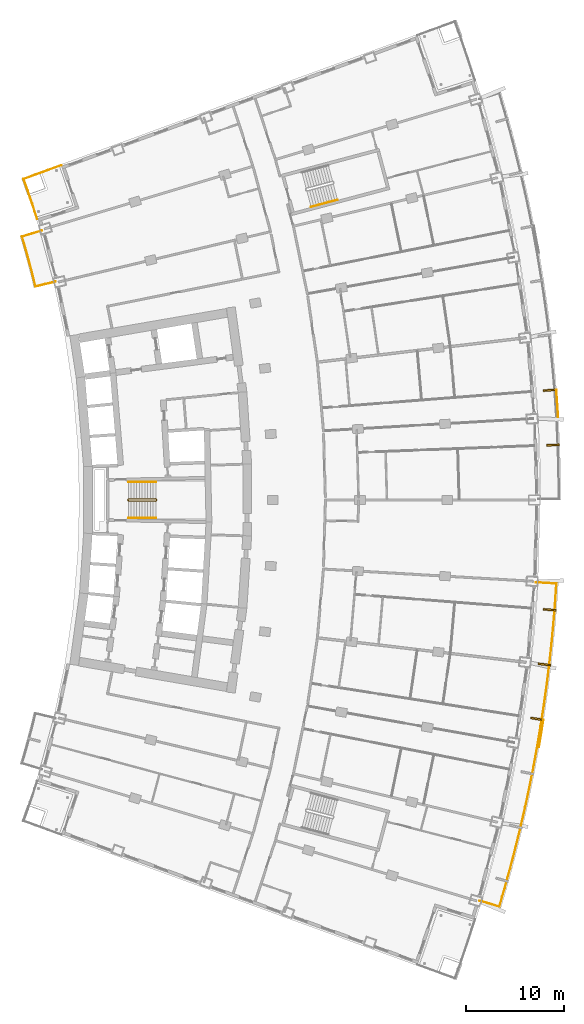
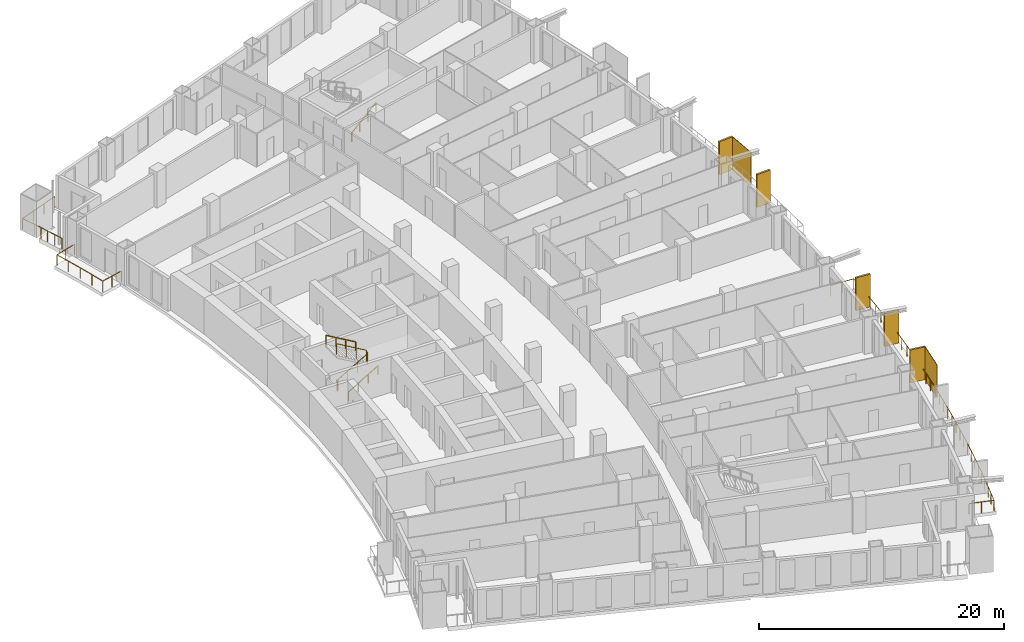
# One storey, part 24 of 25: 7 railings, 7 shading devices.
"""IFC4 building model written with IfcOpenShell, lengths in metres."""

from ifc_helpers import new_model, si_unit, direction, frame, origin, origin_with_axes, origin_2d, place, context, subcontext, project, spatial, rectangle, extrude, material, layer, layer_set, type_object, element, save


model = new_model("IFC4")

# Units and contexts
model_context = context("Model", 3, precision=1e-05, world=origin(), true_north=direction((0.0, 1.0)))
body_context = subcontext(model_context, "Body", "Model", "MODEL_VIEW")
ifc_project = project(units=[si_unit("LENGTHUNIT", "METRE"), si_unit("AREAUNIT", "SQUARE_METRE"), si_unit("VOLUMEUNIT", "CUBIC_METRE"), si_unit("PLANEANGLEUNIT", "RADIAN"), si_unit("MASSUNIT", "GRAM", prefix="KILO")], contexts=[model_context])

# Site, building, storey
site_placement = place(None, origin())
site = spatial("IfcSite", under=ifc_project, at=site_placement, CompositionType="ELEMENT")
building_placement = place(site_placement, origin())
building = spatial("IfcBuilding", under=site, at=building_placement, Name="Alderwake Tower", CompositionType="ELEMENT")
storey_placement = place(building_placement, frame((0.0, 0.0, 57.199951171875)))
storey = spatial("IfcBuildingStorey", under=building, at=storey_placement, Name="L13", CompositionType="ELEMENT", Elevation=57.199951171875)

# Railings
ifc_material_1 = material(Name="Stainless steel 316 rail and posts", Category="steel")
railing_type_1 = type_object("IfcRailingType", Name="Balcony guard 1100", PredefinedType="GUARDRAIL", material=ifc_material_1)
railing_1_placement = place(storey_placement, frame((56.98876953125, 19.974853515625, 0.0)))
element("IfcRailing", 1, at=railing_1_placement, inside=storey, type_object=railing_type_1, Name="Guard BF02", PredefinedType="GUARDRAIL", context=body_context, shape_type="SweptSolid", body=[
    extrude(rectangle(XDim=0.048095703125, YDim=0.048095703125, at=origin_2d()), frame((0.0, 0.0, 1.076171875), z_axis=(0.957954179098, -0.286921227429, 0.0), x_axis=(0.286921227429, 0.957954179098, 0.0)), (0.0, 0.0, 1.0), 2.10009765625),
    extrude(rectangle(XDim=0.048095703125, YDim=0.048095703125, at=origin_2d()), frame((2.01171875, -0.6025390625, 1.076171875), z_axis=(0.28021854868, 0.95993622964, 0.0), x_axis=(-0.95993622964, 0.28021854868, 0.0)), (0.0, 0.0, 1.0), 2.01611328125),
    extrude(rectangle(XDim=0.048095703125, YDim=0.048095703125, at=origin_2d()), frame((2.57666015625, 1.332763671875, 1.076171875), z_axis=(0.266513084078, 0.9638313006, 0.0), x_axis=(-0.9638313006, 0.266513084078, 0.0)), (0.0, 0.0, 1.0), 2.115966796875),
    extrude(rectangle(XDim=0.048095703125, YDim=0.048095703125, at=origin_2d()), frame((3.140625, 3.372314453125, 1.076171875), z_axis=(0.25253930462, 0.967586636752, 0.0), x_axis=(-0.967586636752, 0.25253930462, 0.0)), (0.0, 0.0, 1.0), 2.1162109375),
    extrude(rectangle(XDim=0.048095703125, YDim=0.048095703125, at=origin_2d()), frame((3.675048828125, 5.419921875, 1.076171875), z_axis=(0.238270812315, 0.971198754117, 0.0), x_axis=(-0.971198754117, 0.238270812315, 0.0)), (0.0, 0.0, 1.0), 2.115966796875),
    extrude(rectangle(XDim=0.048095703125, YDim=0.048095703125, at=origin_2d()), frame((4.17919921875, 7.474853515625, 1.076171875), z_axis=(0.224058933292, 0.974575597074, 0.0), x_axis=(-0.974575597074, 0.224058933292, 0.0)), (0.0, 0.0, 1.0), 2.115966796875),
    extrude(rectangle(XDim=0.048095703125, YDim=0.048095703125, at=origin_2d()), frame((4.6533203125, 9.537109375, 1.076171875), z_axis=(0.209875777658, 0.977728059305, 0.0), x_axis=(-0.977728059305, 0.209875777658, 0.0)), (0.0, 0.0, 1.0), 2.115966796875),
    extrude(rectangle(XDim=0.048095703125, YDim=0.048095703125, at=origin_2d()), frame((5.097412109375, 11.60595703125, 1.076171875), z_axis=(0.195672373282, 0.980669323643, 0.0), x_axis=(-0.980669323643, 0.195672373282, 0.0)), (0.0, 0.0, 1.0), 2.1162109375),
    extrude(rectangle(XDim=0.048095703125, YDim=0.048095703125, at=origin_2d()), frame((5.511474609375, 13.68115234375, 1.076171875), z_axis=(0.181271090416, 0.983433165893, 0.0), x_axis=(-0.983433165893, 0.181271090416, 0.0)), (0.0, 0.0, 1.0), 2.115966796875),
    extrude(rectangle(XDim=0.048095703125, YDim=0.048095703125, at=origin_2d()), frame((5.89501953125, 15.761962890625, 1.076171875), z_axis=(0.166942854132, 0.985966573193, 0.0), x_axis=(-0.985966573193, 0.166942854132, 0.0)), (0.0, 0.0, 1.0), 2.1162109375),
    extrude(rectangle(XDim=0.048095703125, YDim=0.048095703125, at=origin_2d()), frame((6.248291015625, 17.848388671875, 1.076171875), z_axis=(0.152525334997, 0.988299560955, 0.0), x_axis=(-0.988299560955, 0.152525334997, 0.0)), (0.0, 0.0, 1.0), 2.115966796875),
    extrude(rectangle(XDim=0.048095703125, YDim=0.048095703125, at=origin_2d()), frame((6.571044921875, 19.939697265625, 1.076171875), z_axis=(0.13810917546, 0.990417010988, 0.0), x_axis=(-0.990417010988, 0.13810917546, 0.0)), (0.0, 0.0, 1.0), 2.115966796875),
    extrude(rectangle(XDim=0.048095703125, YDim=0.048095703125, at=origin_2d()), frame((6.86328125, 22.035400390625, 1.076171875), z_axis=(0.123566122663, 0.992336340829, 0.0), x_axis=(-0.992336340829, 0.123566122663, 0.0)), (0.0, 0.0, 1.0), 2.115966796875),
    extrude(rectangle(XDim=0.048095703125, YDim=0.048095703125, at=origin_2d()), frame((7.124755859375, 24.13525390625, 1.076171875), z_axis=(0.109152371234, 0.994025029792, 0.0), x_axis=(-0.994025029792, 0.109152371234, 0.0)), (0.0, 0.0, 1.0), 2.115966796875),
    extrude(rectangle(XDim=0.048095703125, YDim=0.048095703125, at=origin_2d()), frame((7.355712890625, 26.238525390625, 1.076171875), z_axis=(0.094727418448, 0.995503247707, 0.0), x_axis=(-0.995503247707, 0.094727418448, 0.0)), (0.0, 0.0, 1.0), 2.115966796875),
    extrude(rectangle(XDim=0.048095703125, YDim=0.048095703125, at=origin_2d()), frame((7.55615234375, 28.344970703125, 1.076171875), z_axis=(0.080066197531, 0.996789548507, 0.0), x_axis=(-0.996789548507, 0.080066197531, 0.0)), (0.0, 0.0, 1.0), 2.1162109375),
    extrude(rectangle(XDim=0.048095703125, YDim=0.048095703125, at=origin_2d()), frame((7.7255859375, 30.454345703125, 1.076171875), z_axis=(0.065996579832, 0.997819849197, 0.0), x_axis=(-0.997819849197, 0.065996579832, 0.0)), (0.0, 0.0, 1.0), 2.01611328125),
    extrude(rectangle(XDim=0.048095703125, YDim=0.048095703125, at=origin_2d()), frame((7.858642578125, 32.466064453125, 1.076171875), z_axis=(-0.998261521477, 0.05894009449, 0.0), x_axis=(-0.05894009449, -0.998261521477, 0.0)), (0.0, 0.0, 1.0), 2.10009765625),
    extrude(rectangle(XDim=0.0419921875, YDim=0.0419921875, at=origin_2d()), frame((0.0, 0.0, 0.0), z_axis=(0.0, 0.0, 1.0), x_axis=(0.957954179098, -0.286921227429, 0.0)), (0.0, 0.0, 1.0), 1.052001953125),
    extrude(rectangle(XDim=0.0419921875, YDim=0.0419921875, at=origin_2d()), frame((1.005859375, -0.30126953125, 0.0), z_axis=(0.0, 0.0, 1.0), x_axis=(0.957954179098, -0.286921227429, 0.0)), (0.0, 0.0, 1.0), 1.052001953125),
    extrude(rectangle(XDim=0.0419921875, YDim=0.0419921875, at=origin_2d()), frame((2.01171875, -0.6025390625, 0.0), z_axis=(0.0, 0.0, 1.0), x_axis=(0.28021854868, 0.95993622964, 0.0)), (0.0, 0.0, 1.0), 1.052001953125),
    extrude(rectangle(XDim=0.0419921875, YDim=0.0419921875, at=origin_2d()), frame((2.294189453125, 0.365234375, 0.0), z_axis=(0.0, 0.0, 1.0), x_axis=(0.28021854868, 0.95993622964, 0.0)), (0.0, 0.0, 1.0), 1.052001953125),
    extrude(rectangle(XDim=0.0419921875, YDim=0.0419921875, at=origin_2d()), frame((2.57666015625, 1.332763671875, 0.0), z_axis=(0.0, 0.0, 1.0), x_axis=(0.266513084078, 0.9638313006, 0.0)), (0.0, 0.0, 1.0), 1.052001953125),
    extrude(rectangle(XDim=0.0419921875, YDim=0.0419921875, at=origin_2d()), frame((2.858642578125, 2.3525390625, 0.0), z_axis=(0.0, 0.0, 1.0), x_axis=(0.266513084078, 0.9638313006, 0.0)), (0.0, 0.0, 1.0), 1.052001953125),
    extrude(rectangle(XDim=0.0419921875, YDim=0.0419921875, at=origin_2d()), frame((3.140625, 3.372314453125, 0.0), z_axis=(0.0, 0.0, 1.0), x_axis=(0.25253930462, 0.967586636752, 0.0)), (0.0, 0.0, 1.0), 1.052001953125),
    extrude(rectangle(XDim=0.0419921875, YDim=0.0419921875, at=origin_2d()), frame((3.40771484375, 4.39599609375, 0.0), z_axis=(0.0, 0.0, 1.0), x_axis=(0.25253930462, 0.967586636752, 0.0)), (0.0, 0.0, 1.0), 1.052001953125),
    extrude(rectangle(XDim=0.0419921875, YDim=0.0419921875, at=origin_2d()), frame((3.675048828125, 5.419921875, 0.0), z_axis=(0.0, 0.0, 1.0), x_axis=(0.238270812315, 0.971198754117, 0.0)), (0.0, 0.0, 1.0), 1.052001953125),
    extrude(rectangle(XDim=0.0419921875, YDim=0.0419921875, at=origin_2d()), frame((3.92724609375, 6.447265625, 0.0), z_axis=(0.0, 0.0, 1.0), x_axis=(0.238270812315, 0.971198754117, 0.0)), (0.0, 0.0, 1.0), 1.052001953125),
    extrude(rectangle(XDim=0.0419921875, YDim=0.0419921875, at=origin_2d()), frame((4.17919921875, 7.474853515625, 0.0), z_axis=(0.0, 0.0, 1.0), x_axis=(0.224058933292, 0.974575597074, 0.0)), (0.0, 0.0, 1.0), 1.052001953125),
    extrude(rectangle(XDim=0.0419921875, YDim=0.0419921875, at=origin_2d()), frame((4.416259765625, 8.505859375, 0.0), z_axis=(0.0, 0.0, 1.0), x_axis=(0.224058933292, 0.974575597074, 0.0)), (0.0, 0.0, 1.0), 1.052001953125),
    extrude(rectangle(XDim=0.0419921875, YDim=0.0419921875, at=origin_2d()), frame((4.6533203125, 9.537109375, 0.0), z_axis=(0.0, 0.0, 1.0), x_axis=(0.209875777658, 0.977728059305, 0.0)), (0.0, 0.0, 1.0), 1.052001953125),
    extrude(rectangle(XDim=0.0419921875, YDim=0.0419921875, at=origin_2d()), frame((4.87548828125, 10.571533203125, 0.0), z_axis=(0.0, 0.0, 1.0), x_axis=(0.209875777658, 0.977728059305, 0.0)), (0.0, 0.0, 1.0), 1.052001953125),
    extrude(rectangle(XDim=0.0419921875, YDim=0.0419921875, at=origin_2d()), frame((5.097412109375, 11.60595703125, 0.0), z_axis=(0.0, 0.0, 1.0), x_axis=(0.195672373282, 0.980669323643, 0.0)), (0.0, 0.0, 1.0), 1.052001953125),
    extrude(rectangle(XDim=0.0419921875, YDim=0.0419921875, at=origin_2d()), frame((5.304443359375, 12.6435546875, 0.0), z_axis=(0.0, 0.0, 1.0), x_axis=(0.195672373282, 0.980669323643, 0.0)), (0.0, 0.0, 1.0), 1.052001953125),
    extrude(rectangle(XDim=0.0419921875, YDim=0.0419921875, at=origin_2d()), frame((5.511474609375, 13.68115234375, 0.0), z_axis=(0.0, 0.0, 1.0), x_axis=(0.181271090416, 0.983433165893, 0.0)), (0.0, 0.0, 1.0), 1.052001953125),
    extrude(rectangle(XDim=0.0419921875, YDim=0.0419921875, at=origin_2d()), frame((5.703125, 14.7216796875, 0.0), z_axis=(0.0, 0.0, 1.0), x_axis=(0.181271090416, 0.983433165893, 0.0)), (0.0, 0.0, 1.0), 1.052001953125),
    extrude(rectangle(XDim=0.0419921875, YDim=0.0419921875, at=origin_2d()), frame((5.89501953125, 15.761962890625, 0.0), z_axis=(0.0, 0.0, 1.0), x_axis=(0.166942854132, 0.985966573193, 0.0)), (0.0, 0.0, 1.0), 1.052001953125),
    extrude(rectangle(XDim=0.0419921875, YDim=0.0419921875, at=origin_2d()), frame((6.07177734375, 16.80517578125, 0.0), z_axis=(0.0, 0.0, 1.0), x_axis=(0.166942854132, 0.985966573193, 0.0)), (0.0, 0.0, 1.0), 1.052001953125),
    extrude(rectangle(XDim=0.0419921875, YDim=0.0419921875, at=origin_2d()), frame((6.248291015625, 17.848388671875, 0.0), z_axis=(0.0, 0.0, 1.0), x_axis=(0.152525334997, 0.988299560955, 0.0)), (0.0, 0.0, 1.0), 1.052001953125),
    extrude(rectangle(XDim=0.0419921875, YDim=0.0419921875, at=origin_2d()), frame((6.40966796875, 18.89404296875, 0.0), z_axis=(0.0, 0.0, 1.0), x_axis=(0.152525334997, 0.988299560955, 0.0)), (0.0, 0.0, 1.0), 1.052001953125),
    extrude(rectangle(XDim=0.0419921875, YDim=0.0419921875, at=origin_2d()), frame((6.571044921875, 19.939697265625, 0.0), z_axis=(0.0, 0.0, 1.0), x_axis=(0.13810917546, 0.990417010988, 0.0)), (0.0, 0.0, 1.0), 1.052001953125),
    extrude(rectangle(XDim=0.0419921875, YDim=0.0419921875, at=origin_2d()), frame((6.71728515625, 20.987548828125, 0.0), z_axis=(0.0, 0.0, 1.0), x_axis=(0.13810917546, 0.990417010988, 0.0)), (0.0, 0.0, 1.0), 1.052001953125),
    extrude(rectangle(XDim=0.0419921875, YDim=0.0419921875, at=origin_2d()), frame((6.86328125, 22.035400390625, 0.0), z_axis=(0.0, 0.0, 1.0), x_axis=(0.123566122663, 0.992336340829, 0.0)), (0.0, 0.0, 1.0), 1.052001953125),
    extrude(rectangle(XDim=0.0419921875, YDim=0.0419921875, at=origin_2d()), frame((6.994140625, 23.08544921875, 0.0), z_axis=(0.0, 0.0, 1.0), x_axis=(0.123566122663, 0.992336340829, 0.0)), (0.0, 0.0, 1.0), 1.052001953125),
    extrude(rectangle(XDim=0.0419921875, YDim=0.0419921875, at=origin_2d()), frame((7.124755859375, 24.13525390625, 0.0), z_axis=(0.0, 0.0, 1.0), x_axis=(0.109152371234, 0.994025029792, 0.0)), (0.0, 0.0, 1.0), 1.052001953125),
    extrude(rectangle(XDim=0.0419921875, YDim=0.0419921875, at=origin_2d()), frame((7.240234375, 25.18701171875, 0.0), z_axis=(0.0, 0.0, 1.0), x_axis=(0.109152371234, 0.994025029792, 0.0)), (0.0, 0.0, 1.0), 1.052001953125),
    extrude(rectangle(XDim=0.0419921875, YDim=0.0419921875, at=origin_2d()), frame((7.355712890625, 26.238525390625, 0.0), z_axis=(0.0, 0.0, 1.0), x_axis=(0.094727418448, 0.995503247707, 0.0)), (0.0, 0.0, 1.0), 1.052001953125),
    extrude(rectangle(XDim=0.0419921875, YDim=0.0419921875, at=origin_2d()), frame((7.4560546875, 27.291748046875, 0.0), z_axis=(0.0, 0.0, 1.0), x_axis=(0.094727418448, 0.995503247707, 0.0)), (0.0, 0.0, 1.0), 1.052001953125),
    extrude(rectangle(XDim=0.0419921875, YDim=0.0419921875, at=origin_2d()), frame((7.55615234375, 28.344970703125, 0.0), z_axis=(0.0, 0.0, 1.0), x_axis=(0.080066197531, 0.996789548507, 0.0)), (0.0, 0.0, 1.0), 1.052001953125),
    extrude(rectangle(XDim=0.0419921875, YDim=0.0419921875, at=origin_2d()), frame((7.640869140625, 29.399658203125, 0.0), z_axis=(0.0, 0.0, 1.0), x_axis=(0.080066197531, 0.996789548507, 0.0)), (0.0, 0.0, 1.0), 1.052001953125),
    extrude(rectangle(XDim=0.0419921875, YDim=0.0419921875, at=origin_2d()), frame((7.7255859375, 30.454345703125, 0.0), z_axis=(0.0, 0.0, 1.0), x_axis=(0.065996579832, 0.997819849197, 0.0)), (0.0, 0.0, 1.0), 1.052001953125),
    extrude(rectangle(XDim=0.0419921875, YDim=0.0419921875, at=origin_2d()), frame((7.7919921875, 31.460205078125, 0.0), z_axis=(0.0, 0.0, 1.0), x_axis=(0.065996579832, 0.997819849197, 0.0)), (0.0, 0.0, 1.0), 1.052001953125),
    extrude(rectangle(XDim=0.0419921875, YDim=0.0419921875, at=origin_2d()), frame((7.858642578125, 32.466064453125, 0.0), z_axis=(0.0, 0.0, 1.0), x_axis=(-0.998261521477, 0.05894009449, 0.0)), (0.0, 0.0, 1.0), 1.052001953125),
    extrude(rectangle(XDim=0.0419921875, YDim=0.0419921875, at=origin_2d()), frame((6.810546875, 32.52783203125, 0.0), z_axis=(0.0, 0.0, 1.0), x_axis=(-0.998261521477, 0.05894009449, 0.0)), (0.0, 0.0, 1.0), 1.052001953125),
    extrude(rectangle(XDim=0.0419921875, YDim=0.0419921875, at=origin_2d()), frame((5.76220703125, 32.58984375, 0.0), z_axis=(0.0, 0.0, 1.0), x_axis=(-0.998261521477, 0.05894009449, 0.0)), (0.0, 0.0, 1.0), 1.052001953125),
])
railing_2_placement = place(storey_placement, frame((13.5693359375, 83.343017578125, 0.0)))
element("IfcRailing", 2, at=railing_2_placement, inside=storey, type_object=railing_type_1, Name="Guard BR11", PredefinedType="GUARDRAIL", context=body_context, shape_type="SweptSolid", body=[
    extrude(rectangle(XDim=0.048095703125, YDim=0.048095703125, at=origin_2d()), frame((0.0, 0.0, 1.076171875), z_axis=(-0.972646310656, -0.232291098337, 0.0), x_axis=(0.232291098337, -0.972646310656, 0.0)), (0.0, 0.0, 1.0), 2.099853515625),
    extrude(rectangle(XDim=0.048095703125, YDim=0.048095703125, at=origin_2d()), frame((-2.04248046875, -0.48779296875, 1.076171875), z_axis=(-0.238877101641, 0.971049808358, 0.0), x_axis=(-0.971049808358, -0.238877101641, 0.0)), (0.0, 0.0, 1.0), 1.2724609375),
    extrude(rectangle(XDim=0.048095703125, YDim=0.048095703125, at=origin_2d()), frame((-2.346435546875, 0.747802734375, 1.076171875), z_axis=(-0.252487086228, 0.967600264204, 0.0), x_axis=(-0.967600264204, -0.252487086228, 0.0)), (0.0, 0.0, 1.0), 1.3720703125),
    extrude(rectangle(XDim=0.048095703125, YDim=0.048095703125, at=origin_2d()), frame((-2.69287109375, 2.075439453125, 1.076171875), z_axis=(-0.266487604617, 0.963838345671, 0.0), x_axis=(-0.963838345671, -0.266487604617, 0.0)), (0.0, 0.0, 1.0), 1.372314453125),
    extrude(rectangle(XDim=0.048095703125, YDim=0.048095703125, at=origin_2d()), frame((-3.05859375, 3.398193359375, 1.076171875), z_axis=(-0.279963157487, 0.960010744966, 0.0), x_axis=(-0.960010744966, -0.279963157487, 0.0)), (0.0, 0.0, 1.0), 1.272216796875),
    extrude(rectangle(XDim=0.048095703125, YDim=0.048095703125, at=origin_2d()), frame((-3.414794921875, 4.61962890625, 1.076171875), z_axis=(0.958091458885, 0.286462486918, 0.0), x_axis=(-0.286462486918, 0.958091458885, 0.0)), (0.0, 0.0, 1.0), 2.099853515625),
    extrude(rectangle(XDim=0.0419921875, YDim=0.0419921875, at=origin_2d()), frame((0.0, 0.0, 0.0), z_axis=(0.0, 0.0, 1.0), x_axis=(-0.972646310656, -0.232291098337, 0.0)), (0.0, 0.0, 1.0), 1.052001953125),
    extrude(rectangle(XDim=0.0419921875, YDim=0.0419921875, at=origin_2d()), frame((-1.021240234375, -0.243896484375, 0.0), z_axis=(0.0, 0.0, 1.0), x_axis=(-0.972646310656, -0.232291098337, 0.0)), (0.0, 0.0, 1.0), 1.052001953125),
    extrude(rectangle(XDim=0.0419921875, YDim=0.0419921875, at=origin_2d()), frame((-2.04248046875, -0.48779296875, 0.0), z_axis=(0.0, 0.0, 1.0), x_axis=(-0.238877101641, 0.971049808358, 0.0)), (0.0, 0.0, 1.0), 1.052001953125),
    extrude(rectangle(XDim=0.0419921875, YDim=0.0419921875, at=origin_2d()), frame((-2.346435546875, 0.747802734375, 0.0), z_axis=(0.0, 0.0, 1.0), x_axis=(-0.252487086228, 0.967600264204, 0.0)), (0.0, 0.0, 1.0), 1.052001953125),
    extrude(rectangle(XDim=0.0419921875, YDim=0.0419921875, at=origin_2d()), frame((-2.69287109375, 2.075439453125, 0.0), z_axis=(0.0, 0.0, 1.0), x_axis=(-0.266487604617, 0.963838345671, 0.0)), (0.0, 0.0, 1.0), 1.052001953125),
    extrude(rectangle(XDim=0.0419921875, YDim=0.0419921875, at=origin_2d()), frame((-3.05859375, 3.398193359375, 0.0), z_axis=(0.0, 0.0, 1.0), x_axis=(-0.279963157487, 0.960010744966, 0.0)), (0.0, 0.0, 1.0), 1.052001953125),
    extrude(rectangle(XDim=0.0419921875, YDim=0.0419921875, at=origin_2d()), frame((-3.414794921875, 4.61962890625, 0.0), z_axis=(0.0, 0.0, 1.0), x_axis=(0.958091458885, 0.286462486918, 0.0)), (0.0, 0.0, 1.0), 1.052001953125),
    extrude(rectangle(XDim=0.0419921875, YDim=0.0419921875, at=origin_2d()), frame((-2.40869140625, 4.92041015625, 0.0), z_axis=(0.0, 0.0, 1.0), x_axis=(0.958091458885, 0.286462486918, 0.0)), (0.0, 0.0, 1.0), 1.052001953125),
    extrude(rectangle(XDim=0.0419921875, YDim=0.0419921875, at=origin_2d()), frame((-1.40283203125, 5.22119140625, 0.0), z_axis=(0.0, 0.0, 1.0), x_axis=(0.958091458885, 0.286462486918, 0.0)), (0.0, 0.0, 1.0), 1.052001953125),
])
railing_3_placement = place(storey_placement, frame((11.688720703125, 89.781982421875, 0.0)))
element("IfcRailing", 3, at=railing_3_placement, inside=storey, type_object=railing_type_1, Name="Guard terrace RN", PredefinedType="GUARDRAIL", context=body_context, shape_type="SweptSolid", body=[
    extrude(rectangle(XDim=0.048095703125, YDim=0.048095703125, at=origin_2d()), frame((0.0, 0.0, 1.076171875), z_axis=(-0.307479326145, 0.951554761426, 0.0), x_axis=(-0.951554761426, -0.307479326145, 0.0)), (0.0, 0.0, 1.0), 1.6015625),
    extrude(rectangle(XDim=0.048095703125, YDim=0.048095703125, at=origin_2d()), frame((-0.492431640625, 1.52392578125, 1.076171875), z_axis=(-0.322283727344, 0.946643121292, 0.0), x_axis=(-0.946643121292, -0.322283727344, 0.0)), (0.0, 0.0, 1.0), 1.4013671875),
    extrude(rectangle(XDim=0.048095703125, YDim=0.048095703125, at=origin_2d()), frame((-0.944091796875, 2.8505859375, 1.076171875), z_axis=(-0.335468607403, 0.942051385778, 0.0), x_axis=(-0.942051385778, -0.335468607403, 0.0)), (0.0, 0.0, 1.0), 1.30126953125),
    extrude(rectangle(XDim=0.048095703125, YDim=0.048095703125, at=origin_2d()), frame((-1.380615234375, 4.076416015625, 1.076171875), z_axis=(0.939708203232, 0.341977327873, 0.0), x_axis=(-0.341977327873, 0.939708203232, 0.0)), (0.0, 0.0, 1.0), 4.10009765625),
    extrude(rectangle(XDim=0.0419921875, YDim=0.0419921875, at=origin_2d()), frame((0.0, 0.0, 0.0), z_axis=(0.0, 0.0, 1.0), x_axis=(-0.307479326145, 0.951554761426, 0.0)), (0.0, 0.0, 1.0), 1.052001953125),
    extrude(rectangle(XDim=0.0419921875, YDim=0.0419921875, at=origin_2d()), frame((-0.24609375, 0.761962890625, 0.0), z_axis=(0.0, 0.0, 1.0), x_axis=(-0.307479326145, 0.951554761426, 0.0)), (0.0, 0.0, 1.0), 1.052001953125),
    extrude(rectangle(XDim=0.0419921875, YDim=0.0419921875, at=origin_2d()), frame((-0.492431640625, 1.52392578125, 0.0), z_axis=(0.0, 0.0, 1.0), x_axis=(-0.322283727344, 0.946643121292, 0.0)), (0.0, 0.0, 1.0), 1.052001953125),
    extrude(rectangle(XDim=0.0419921875, YDim=0.0419921875, at=origin_2d()), frame((-0.71826171875, 2.187255859375, 0.0), z_axis=(0.0, 0.0, 1.0), x_axis=(-0.322283727344, 0.946643121292, 0.0)), (0.0, 0.0, 1.0), 1.052001953125),
    extrude(rectangle(XDim=0.0419921875, YDim=0.0419921875, at=origin_2d()), frame((-0.944091796875, 2.8505859375, 0.0), z_axis=(0.0, 0.0, 1.0), x_axis=(-0.335468607403, 0.942051385778, 0.0)), (0.0, 0.0, 1.0), 1.052001953125),
    extrude(rectangle(XDim=0.0419921875, YDim=0.0419921875, at=origin_2d()), frame((-1.380615234375, 4.076416015625, 0.0), z_axis=(0.0, 0.0, 1.0), x_axis=(0.939708203232, 0.341977327873, 0.0)), (0.0, 0.0, 1.0), 1.052001953125),
    extrude(rectangle(XDim=0.0419921875, YDim=0.0419921875, at=origin_2d()), frame((-0.096435546875, 4.543701171875, 0.0), z_axis=(0.0, 0.0, 1.0), x_axis=(0.939708203232, 0.341977327873, 0.0)), (0.0, 0.0, 1.0), 1.052001953125),
    extrude(rectangle(XDim=0.0419921875, YDim=0.0419921875, at=origin_2d()), frame((1.18798828125, 5.01123046875, 0.0), z_axis=(0.0, 0.0, 1.0), x_axis=(0.939708203232, 0.341977327873, 0.0)), (0.0, 0.0, 1.0), 1.052001953125),
    extrude(rectangle(XDim=0.0419921875, YDim=0.0419921875, at=origin_2d()), frame((2.47216796875, 5.478515625, 0.0), z_axis=(0.0, 0.0, 1.0), x_axis=(0.939708203232, 0.341977327873, 0.0)), (0.0, 0.0, 1.0), 1.052001953125),
])

# Shading devices
ifc_material_2 = material(Name="Bronze anodised aluminium", Category="aluminium")
ifc_layer_1 = layer(ifc_material_2, 0.179931640625)
ifc_layer_set_1 = layer_set([ifc_layer_1], Name="Facade fin 1300")
shading_device_type_1 = type_object("IfcShadingDeviceType", Name="Facade fin 1300", PredefinedType="USERDEFINED", material=ifc_layer_set_1)
for number, where, z_axis, x_axis, name in (
    (4, (62.85302734375, 38.5908203125, 0.0), (0.0, 0.0, 1.0), (0.987918787879, -0.154972476771, 0.0), "Fin"),
    (5, (63.616455078125, 44.16357421875, 0.0), (0.0, 0.0, 1.0), (0.993198315083, -0.116434990084, 0.0), "Fin"),
    (6, (64.16259765625, 49.761474609375, 0.0), (0.0, 0.0, 1.0), (0.996975122026, -0.077721335943, 0.0), "Fin"),
    (7, (64.490478515625, 66.62353515625, 0.0), (0.0, 0.0, 1.0), (0.999243494356, 0.038890088543, 0.0), "Fin"),
    (8, (64.16259765625, 72.238525390625, 0.0), (0.0, 0.0, 1.0), (0.996975122026, 0.077721335943, 0.0), "Fin"),
):
    element("IfcShadingDevice", number, at=place(storey_placement, frame(where, z_axis=z_axis, x_axis=x_axis)), inside=storey, type_object=shading_device_type_1, Name=name, ObjectType="FIN", PredefinedType="USERDEFINED", context=body_context, shape_type="SweptSolid", body=[
        extrude(rectangle(XDim=1.300048828125, YDim=0.179931640625, at=origin_2d()), origin(), (0.0, 0.0, 1.0), 3.280029296875),
    ])
ifc_material_3 = material(Name="Perforated bronze anodised aluminium", Category="aluminium")
ifc_layer_2 = layer(ifc_material_3, 0.050048828125)
ifc_layer_set_2 = layer_set([ifc_layer_2], Name="Perforated screen panel")
shading_device_type_2 = type_object("IfcShadingDeviceType", Name="Perforated screen panel", PredefinedType="USERDEFINED", material=ifc_layer_set_2)
shading_device_1_placement = place(storey_placement, frame((63.2880859375, 37.096435546875, 0.0), z_axis=(0.0, 0.0, 1.0), x_axis=(0.986369013299, -0.164548380739, 0.0)))
element("IfcShadingDevice", 9, at=shading_device_1_placement, inside=storey, type_object=shading_device_type_2, Name="Screen panel", ObjectType="SCREEN", PredefinedType="USERDEFINED", context=body_context, shape_type="SweptSolid", body=[
    extrude(rectangle(XDim=0.050048828125, YDim=2.818359375, at=origin_2d()), origin(), (0.0, 0.0, 1.0), 3.280029296875),
])
shading_device_2_placement = place(storey_placement, frame((64.931884765625, 70.8779296875, 0.0), z_axis=(0.0, 0.0, 1.0), x_axis=(0.997685465774, 0.067997877779, 0.0)))
element("IfcShadingDevice", 10, at=shading_device_2_placement, inside=storey, type_object=shading_device_type_2, Name="Screen panel", ObjectType="SCREEN", PredefinedType="USERDEFINED", context=body_context, shape_type="SweptSolid", body=[
    extrude(rectangle(XDim=0.050048828125, YDim=2.832763671875, at=origin_2d()), origin(), (0.0, 0.0, 1.0), 3.280029296875),
])

# Railings
ifc_material_4 = material(Name="Stainless steel guard", Category="steel")
railing_type_2 = type_object("IfcRailingType", Name="Stair guard 1100", PredefinedType="GUARDRAIL", material=ifc_material_4)
railing_4_placement = place(storey_placement, frame((20.989990234375, 60.925048828125, 0.0)))
element("IfcRailing", 11, at=railing_4_placement, inside=storey, type_object=railing_type_2, Name="L13 ST-B stair guard 1", PredefinedType="GUARDRAIL", context=body_context, shape_type="SweptSolid", body=[
    extrude(rectangle(XDim=0.048095703125, YDim=0.048095703125, at=origin_2d()), frame((0.0, 0.0, 1.076171875), z_axis=(0.0, 1.0, 0.0), x_axis=(-1.0, 0.0, 0.0)), (0.0, 0.0, 1.0), 0.14990234375),
    extrude(rectangle(XDim=0.048095703125, YDim=0.048095703125, at=origin_2d()), frame((0.0, 0.14990234375, 1.076171875), z_axis=(0.190199549216, -0.759870394187, 0.621627795), x_axis=(0.970072785993, 0.242814311512, 0.0)), (0.0, 0.0, 1.0), 0.26318359375),
    extrude(rectangle(XDim=0.048095703125, YDim=0.048095703125, at=origin_2d()), frame((0.050048828125, -0.050048828125, 1.23974609375), z_axis=(0.863360870873, 0.0, 0.504586966384), x_axis=(0.0, 1.0, 0.0)), (0.0, 0.0, 1.0), 3.2431640625),
    extrude(rectangle(XDim=0.048095703125, YDim=0.048095703125, at=origin_2d()), frame((2.85009765625, -0.050048828125, 2.8759765625), z_axis=(0.705375805398, 0.708833529934, 0.0), x_axis=(-0.708833529934, 0.705375805398, 0.0)), (0.0, 0.0, 1.0), 0.070556640625),
    extrude(rectangle(XDim=0.048095703125, YDim=0.048095703125, at=origin_2d()), frame((2.89990234375, 0.0, 2.8759765625), z_axis=(0.0, 1.0, 0.0), x_axis=(-1.0, 0.0, 0.0)), (0.0, 0.0, 1.0), 0.14990234375),
    extrude(rectangle(XDim=0.048095703125, YDim=0.048095703125, at=origin_2d()), frame((2.89990234375, 0.14990234375, 2.8759765625), z_axis=(-0.279546231943, 0.280916556609, 0.91811752648), x_axis=(-0.708833529934, -0.705375805398, 0.0)), (0.0, 0.0, 1.0), 0.17822265625),
    extrude(rectangle(XDim=0.048095703125, YDim=0.048095703125, at=origin_2d()), frame((2.85009765625, 0.199951171875, 3.03955078125), z_axis=(-0.863360870873, 0.0, 0.504586966384), x_axis=(0.0, -1.0, 0.0)), (0.0, 0.0, 1.0), 3.2431640625),
    extrude(rectangle(XDim=0.0419921875, YDim=0.0419921875, at=origin_2d()), frame((0.0, 0.0, 0.0), z_axis=(0.0, 0.0, 1.0), x_axis=(0.0, 1.0, 0.0)), (0.0, 0.0, 1.0), 1.052001953125),
    extrude(rectangle(XDim=0.0419921875, YDim=0.0419921875, at=origin_2d()), frame((0.0, 0.14990234375, 0.0), z_axis=(0.0, 0.0, 1.0), x_axis=(0.242814311512, -0.970072785993, 0.0)), (0.0, 0.0, 1.0), 1.052001953125),
    extrude(rectangle(XDim=0.0419921875, YDim=0.0419921875, at=origin_2d()), frame((0.050048828125, -0.050048828125, 0.16357421875), z_axis=(0.0, 0.0, 1.0), x_axis=(1.0, 0.0, 0.0)), (0.0, 0.0, 1.0), 1.052001953125),
    extrude(rectangle(XDim=0.0419921875, YDim=0.0419921875, at=origin_2d()), frame((0.9833984375, -0.050048828125, 0.708984375), z_axis=(0.0, 0.0, 1.0), x_axis=(1.0, 0.0, 0.0)), (0.0, 0.0, 1.0), 1.052001953125),
    extrude(rectangle(XDim=0.0419921875, YDim=0.0419921875, at=origin_2d()), frame((1.916748046875, -0.050048828125, 1.254638671875), z_axis=(0.0, 0.0, 1.0), x_axis=(1.0, 0.0, 0.0)), (0.0, 0.0, 1.0), 1.052001953125),
    extrude(rectangle(XDim=0.0419921875, YDim=0.0419921875, at=origin_2d()), frame((2.85009765625, -0.050048828125, 1.800048828125), z_axis=(0.0, 0.0, 1.0), x_axis=(0.705375805398, 0.708833529934, 0.0)), (0.0, 0.0, 1.0), 1.052001953125),
    extrude(rectangle(XDim=0.0419921875, YDim=0.0419921875, at=origin_2d()), frame((2.89990234375, 0.0, 1.800048828125), z_axis=(0.0, 0.0, 1.0), x_axis=(0.0, 1.0, 0.0)), (0.0, 0.0, 1.0), 1.052001953125),
    extrude(rectangle(XDim=0.0419921875, YDim=0.0419921875, at=origin_2d()), frame((2.89990234375, 0.14990234375, 1.800048828125), z_axis=(0.0, 0.0, 1.0), x_axis=(-0.705375805398, 0.708833529934, 0.0)), (0.0, 0.0, 1.0), 1.052001953125),
    extrude(rectangle(XDim=0.0419921875, YDim=0.0419921875, at=origin_2d()), frame((2.85009765625, 0.199951171875, 1.963623046875), z_axis=(0.0, 0.0, 1.0), x_axis=(-1.0, 0.0, 0.0)), (0.0, 0.0, 1.0), 1.052001953125),
    extrude(rectangle(XDim=0.0419921875, YDim=0.0419921875, at=origin_2d()), frame((1.916748046875, 0.199951171875, 2.509033203125), z_axis=(0.0, 0.0, 1.0), x_axis=(-1.0, 0.0, 0.0)), (0.0, 0.0, 1.0), 1.052001953125),
    extrude(rectangle(XDim=0.0419921875, YDim=0.0419921875, at=origin_2d()), frame((0.9833984375, 0.199951171875, 3.0546875), z_axis=(0.0, 0.0, 1.0), x_axis=(-1.0, 0.0, 0.0)), (0.0, 0.0, 1.0), 1.052001953125),
    extrude(rectangle(XDim=0.0419921875, YDim=0.0419921875, at=origin_2d()), frame((0.050048828125, 0.199951171875, 3.60009765625), z_axis=(0.0, 0.0, 1.0), x_axis=(-1.0, 0.0, 0.0)), (0.0, 0.0, 1.0), 1.052001953125),
])
ifc_material_5 = material(Name="Stainless steel handrail", Category="steel")
railing_type_3 = type_object("IfcRailingType", Name="Stair handrail 900", PredefinedType="HANDRAIL", material=ifc_material_5)
railing_5_placement = place(storey_placement, frame((21.0400390625, 59.175048828125, 0.16357421875)))
element("IfcRailing", 12, at=railing_5_placement, inside=storey, type_object=railing_type_3, Name="L13 ST-B stair handrail 1", PredefinedType="HANDRAIL", context=body_context, shape_type="SweptSolid", body=[
    extrude(rectangle(XDim=0.048095703125, YDim=0.048095703125, at=origin_2d()), frame((0.0, 0.0, 0.8759765625), z_axis=(0.863360870873, 0.0, 0.504586966384), x_axis=(0.0, 1.0, 0.0)), (0.0, 0.0, 1.0), 3.2431640625),
    extrude(rectangle(XDim=0.0419921875, YDim=0.0419921875, at=origin_2d()), origin_with_axes(), (0.0, 0.0, 1.0), 0.851806640625),
    extrude(rectangle(XDim=0.0419921875, YDim=0.0419921875, at=origin_2d()), frame((0.933349609375, 0.0, 0.54541015625), z_axis=(0.0, 0.0, 1.0), x_axis=(1.0, 0.0, 0.0)), (0.0, 0.0, 1.0), 0.851806640625),
    extrude(rectangle(XDim=0.0419921875, YDim=0.0419921875, at=origin_2d()), frame((1.86669921875, 0.0, 1.091064453125), z_axis=(0.0, 0.0, 1.0), x_axis=(1.0, 0.0, 0.0)), (0.0, 0.0, 1.0), 0.851806640625),
    extrude(rectangle(XDim=0.0419921875, YDim=0.0419921875, at=origin_2d()), frame((2.800048828125, 0.0, 1.636474609375), z_axis=(0.0, 0.0, 1.0), x_axis=(1.0, 0.0, 0.0)), (0.0, 0.0, 1.0), 0.851806640625),
])
railing_6_placement = place(storey_placement, frame((23.840087890625, 62.824951171875, 1.963623046875)))
element("IfcRailing", 13, at=railing_6_placement, inside=storey, type_object=railing_type_3, Name="L13 ST-B stair handrail 2", PredefinedType="HANDRAIL", context=body_context, shape_type="SweptSolid", body=[
    extrude(rectangle(XDim=0.048095703125, YDim=0.048095703125, at=origin_2d()), frame((0.0, 0.0, 0.8759765625), z_axis=(-0.863360870873, 0.0, 0.504586966384), x_axis=(0.0, -1.0, 0.0)), (0.0, 0.0, 1.0), 3.2431640625),
    extrude(rectangle(XDim=0.0419921875, YDim=0.0419921875, at=origin_2d()), frame((0.0, 0.0, 0.0), z_axis=(0.0, 0.0, 1.0), x_axis=(-1.0, 0.0, 0.0)), (0.0, 0.0, 1.0), 0.851806640625),
    extrude(rectangle(XDim=0.0419921875, YDim=0.0419921875, at=origin_2d()), frame((-0.933349609375, 0.0, 0.54541015625), z_axis=(0.0, 0.0, 1.0), x_axis=(-1.0, 0.0, 0.0)), (0.0, 0.0, 1.0), 0.851806640625),
    extrude(rectangle(XDim=0.0419921875, YDim=0.0419921875, at=origin_2d()), frame((-1.86669921875, 0.0, 1.091064453125), z_axis=(0.0, 0.0, 1.0), x_axis=(-1.0, 0.0, 0.0)), (0.0, 0.0, 1.0), 0.851806640625),
    extrude(rectangle(XDim=0.0419921875, YDim=0.0419921875, at=origin_2d()), frame((-2.800048828125, 0.0, 1.636474609375), z_axis=(0.0, 0.0, 1.0), x_axis=(-1.0, 0.0, 0.0)), (0.0, 0.0, 1.0), 0.851806640625),
])
railing_7_placement = place(storey_placement, frame((39.731689453125, 91.002685546875, 0.16357421875)))
element("IfcRailing", 14, at=railing_7_placement, inside=storey, type_object=railing_type_3, Name="L13 ST-A stair handrail 1", PredefinedType="HANDRAIL", context=body_context, shape_type="SweptSolid", body=[
    extrude(rectangle(XDim=0.048095703125, YDim=0.048095703125, at=origin_2d()), frame((0.0, 0.0, 0.8759765625), z_axis=(0.834258940753, 0.22222815314, 0.504605457487), x_axis=(-0.257402139082, 0.966304371715, 0.0)), (0.0, 0.0, 1.0), 3.2431640625),
    extrude(rectangle(XDim=0.0419921875, YDim=0.0419921875, at=origin_2d()), frame((0.0, 0.0, 0.0), z_axis=(0.0, 0.0, 1.0), x_axis=(0.966304371715, 0.257402139082, 0.0)), (0.0, 0.0, 1.0), 0.851806640625),
    extrude(rectangle(XDim=0.0419921875, YDim=0.0419921875, at=origin_2d()), frame((0.90185546875, 0.240234375, 0.54541015625), z_axis=(0.0, 0.0, 1.0), x_axis=(0.966304371715, 0.257402139082, 0.0)), (0.0, 0.0, 1.0), 0.851806640625),
    extrude(rectangle(XDim=0.0419921875, YDim=0.0419921875, at=origin_2d()), frame((1.8037109375, 0.48046875, 1.091064453125), z_axis=(0.0, 0.0, 1.0), x_axis=(0.966304371715, 0.257402139082, 0.0)), (0.0, 0.0, 1.0), 0.851806640625),
    extrude(rectangle(XDim=0.0419921875, YDim=0.0419921875, at=origin_2d()), frame((2.70556640625, 0.720703125, 1.636474609375), z_axis=(0.0, 0.0, 1.0), x_axis=(0.966304371715, 0.257402139082, 0.0)), (0.0, 0.0, 1.0), 0.851806640625),
])

save(model, "model.ifc")
